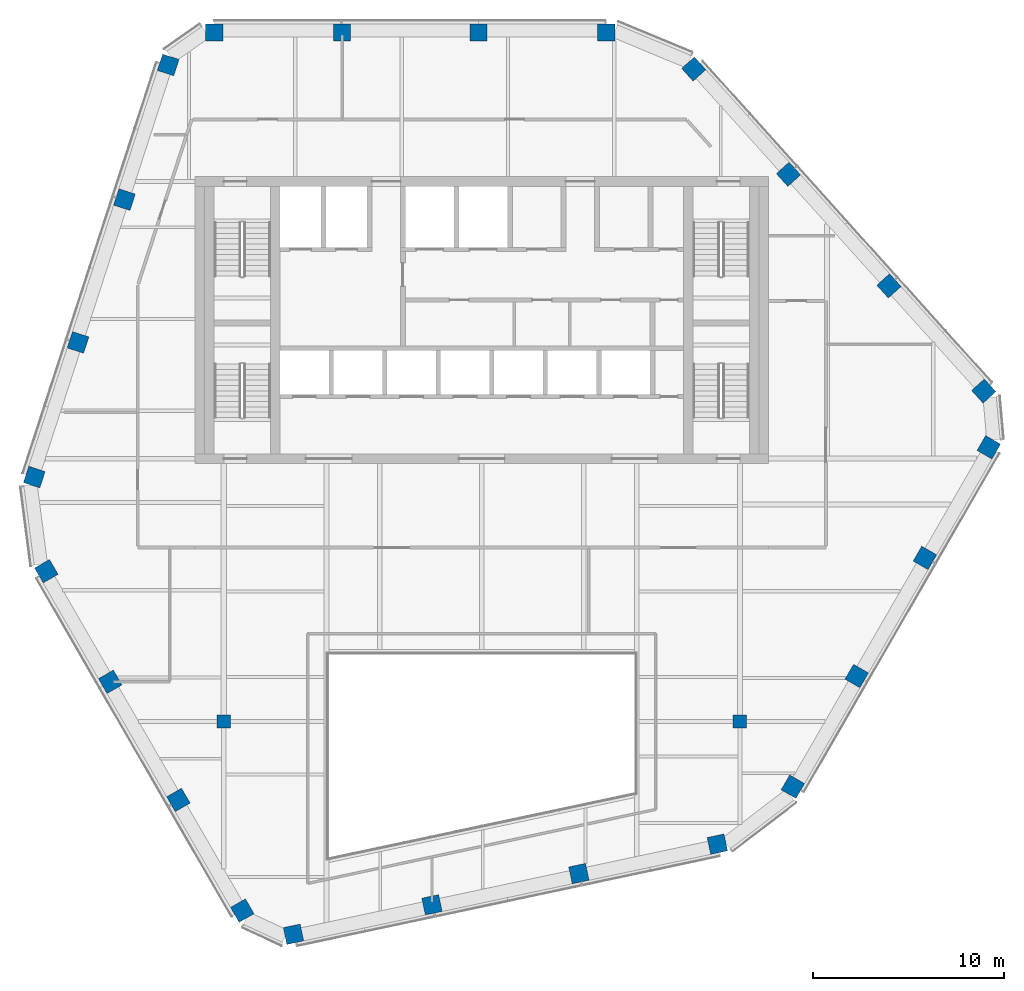
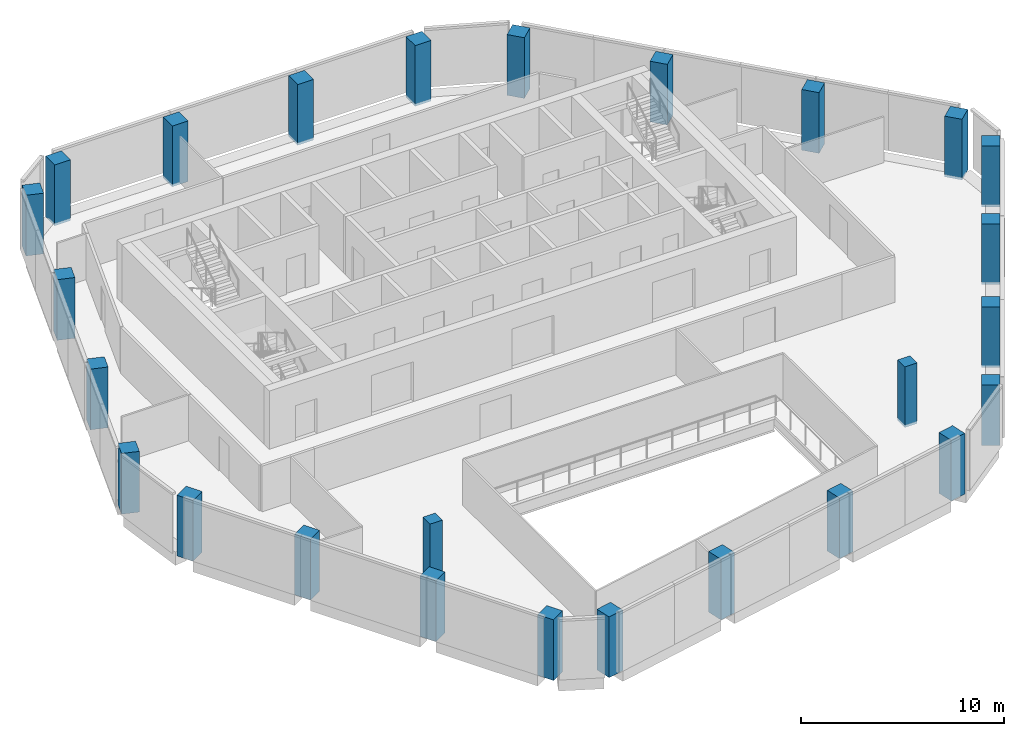
# One storey, part 1 of 15: 26 columns.
"""IFC4 building model written with IfcOpenShell, lengths in metres."""

from ifc_helpers import new_model, si_unit, direction, frame, origin, origin_2d, place, context, subcontext, project, spatial, rectangle, extrude, material, material_profile, profile_set, type_object, element, save


model = new_model("IFC4")

# Units and contexts
model_context = context("Model", 3, precision=1e-05, world=origin(), true_north=direction((0.0, 1.0)))
body_context = subcontext(model_context, "Body", "Model", "MODEL_VIEW")
ifc_project = project(units=[si_unit("LENGTHUNIT", "METRE"), si_unit("AREAUNIT", "SQUARE_METRE"), si_unit("VOLUMEUNIT", "CUBIC_METRE"), si_unit("PLANEANGLEUNIT", "RADIAN"), si_unit("MASSUNIT", "GRAM", prefix="KILO")], contexts=[model_context])

# Site, building, storey
site_placement = place(None, origin())
site = spatial("IfcSite", under=ifc_project, at=site_placement, CompositionType="ELEMENT")
building_placement = place(site_placement, origin())
building = spatial("IfcBuilding", under=site, at=building_placement, Name="Isthmus Gate Tower", CompositionType="ELEMENT")
storey_placement = place(building_placement, frame((0.0, 0.0, 293.800048828125)))
storey = spatial("IfcBuildingStorey", under=building, at=storey_placement, Name="L75", CompositionType="ELEMENT", Elevation=293.800048828125)

# Columns
ifc_material_1 = material(Name="Concrete f'c 50 MPa", Category="concrete")
ifc_material_profile_1 = material_profile(ifc_material_1, rectangle(XDim=0.699951171875, YDim=0.699951171875, at=origin_2d()), Name="RC 700X700")
ifc_profile_set_1 = profile_set([ifc_material_profile_1], Name="Concrete f'c 50 MPa")
column_type_1 = type_object("IfcColumnType", Name="RC INTERIOR COLUMN 700 X 700", PredefinedType="COLUMN", material=ifc_profile_set_1)
for number, where, z_axis, x_axis, name in (
    (1, (-13.5, -13.5, -0.150146484375), (0.0, 0.0, 1.0), (1.0, 0.0, 0.0), "str-icol-L75-ICB2"),
    (2, (13.5, -13.5, -0.150146484375), (0.0, 0.0, 1.0), (1.0, 0.0, 0.0), "str-icol-L75-ICD2"),
):
    element("IfcColumn", number, at=place(storey_placement, frame(where, z_axis=z_axis, x_axis=x_axis)), inside=storey, type_object=column_type_1, Name=name, PredefinedType="COLUMN", context=body_context, shape_type="SweptSolid", body=[
        extrude(rectangle(XDim=0.699951171875, YDim=0.699951171875, at=origin_2d()), origin(), (0.0, 0.0, 1.0), 3.650146484375),
    ])
ifc_material_2 = material(Name="Concrete f'c 50 MPa", Category="concrete")
ifc_material_profile_2 = material_profile(ifc_material_2, rectangle(XDim=0.89990234375, YDim=0.89990234375, at=origin_2d()), Name="RC 900X900")
ifc_profile_set_2 = profile_set([ifc_material_profile_2], Name="Concrete f'c 50 MPa")
column_type_2 = type_object("IfcColumnType", Name="RC TUBE COLUMN 900 X 900", PredefinedType="COLUMN", material=ifc_profile_set_2)
for number, where, z_axis, x_axis, name in (
    (3, (6.509521484375, 22.550048828125, -0.150146484375), (0.0, 0.0, 1.0), (-1.0, 0.0, 0.0), "str-tcol-L75-T4N0"),
    (4, (-0.175048828125, 22.550048828125, -0.150146484375), (0.0, 0.0, 1.0), (-1.0, 0.0, 0.0), "str-tcol-L75-T4N1"),
    (5, (-7.3095703125, 22.550048828125, -0.150146484375), (0.0, 0.0, 1.0), (-1.0, 0.0, 0.0), "str-tcol-L75-T4N2"),
    (6, (-13.994140625, 22.550048828125, -0.150146484375), (0.0, 0.0, 1.0), (-1.0, 0.0, 0.0), "str-tcol-L75-T4N3"),
    (7, (-16.408203125, 20.847900390625, -0.150146484375), (0.0, 0.0, 1.0), (-0.309016994375, -0.951056516295, 0.0), "str-tcol-L75-T4NW0"),
    (8, (-18.697021484375, 13.8037109375, -0.150146484375), (0.0, 0.0, 1.0), (-0.309016994375, -0.951056516295, 0.0), "str-tcol-L75-T4NW1"),
    (9, (-21.124755859375, 6.331298828125, -0.150146484375), (0.0, 0.0, 1.0), (-0.309016994375, -0.951056516295, 0.0), "str-tcol-L75-T4NW2"),
    (10, (-23.41357421875, -0.712890625, -0.150146484375), (0.0, 0.0, 1.0), (-0.309016994375, -0.951056516295, 0.0), "str-tcol-L75-T4NW3"),
    (11, (-22.78369140625, -5.6376953125, -0.150146484375), (0.0, 0.0, 1.0), (0.5, -0.866025403784, 0.0), "str-tcol-L75-T4SW0"),
    (12, (-19.44140625, -11.426513671875, -0.150146484375), (0.0, 0.0, 1.0), (0.5, -0.866025403784, 0.0), "str-tcol-L75-T4SW1"),
    (13, (-15.8740234375, -17.605224609375, -0.150146484375), (0.0, 0.0, 1.0), (0.5, -0.866025403784, 0.0), "str-tcol-L75-T4SW2"),
    (14, (-12.53173828125, -23.394287109375, -0.150146484375), (0.0, 0.0, 1.0), (0.5, -0.866025403784, 0.0), "str-tcol-L75-T4SW3"),
    (15, (-9.850830078125, -24.6337890625, -0.150146484375), (0.0, 0.0, 1.0), (0.978147600734, 0.207911690818, 0.0), "str-tcol-L75-T4S0"),
    (16, (-2.605712890625, -23.09375, -0.150146484375), (0.0, 0.0, 1.0), (0.978147600734, 0.207911690818, 0.0), "str-tcol-L75-T4S1"),
    (17, (5.079345703125, -21.460205078125, -0.150146484375), (0.0, 0.0, 1.0), (0.978147600734, 0.207911690818, 0.0), "str-tcol-L75-T4S2"),
    (18, (12.32421875, -19.92041015625, -0.150146484375), (0.0, 0.0, 1.0), (0.978147600734, 0.207911690818, 0.0), "str-tcol-L75-T4S3"),
    (19, (16.274169921875, -16.912353515625, -0.150146484375), (0.0, 0.0, 1.0), (0.5, 0.866025403784, 0.0), "str-tcol-L75-T4SE0"),
    (20, (19.616455078125, -11.123291015625, -0.150146484375), (0.0, 0.0, 1.0), (0.5, 0.866025403784, 0.0), "str-tcol-L75-T4SE1"),
    (21, (23.18359375, -4.944580078125, -0.150146484375), (0.0, 0.0, 1.0), (0.5, 0.866025403784, 0.0), "str-tcol-L75-T4SE2"),
    (22, (26.52587890625, 0.84423828125, -0.150146484375), (0.0, 0.0, 1.0), (0.5, 0.866025403784, 0.0), "str-tcol-L75-T4SE3"),
    (23, (26.2587890625, 3.785888671875, -0.150146484375), (0.0, 0.0, 1.0), (-0.669130606359, 0.743144825477, 0.0), "str-tcol-L75-T4NE0"),
    (24, (21.302734375, 9.290283203125, -0.150146484375), (0.0, 0.0, 1.0), (-0.669130606359, 0.743144825477, 0.0), "str-tcol-L75-T4NE1"),
    (25, (16.04541015625, 15.12890625, -0.150146484375), (0.0, 0.0, 1.0), (-0.669130606359, 0.743144825477, 0.0), "str-tcol-L75-T4NE2"),
    (26, (11.08935546875, 20.63330078125, -0.150146484375), (0.0, 0.0, 1.0), (-0.669130606359, 0.743144825477, 0.0), "str-tcol-L75-T4NE3"),
):
    element("IfcColumn", number, at=place(storey_placement, frame(where, z_axis=z_axis, x_axis=x_axis)), inside=storey, type_object=column_type_2, Name=name, PredefinedType="COLUMN", context=body_context, shape_type="SweptSolid", body=[
        extrude(rectangle(XDim=0.89990234375, YDim=0.89990234375, at=origin_2d()), origin(), (0.0, 0.0, 1.0), 3.650146484375),
    ])

save(model, "model.ifc")
